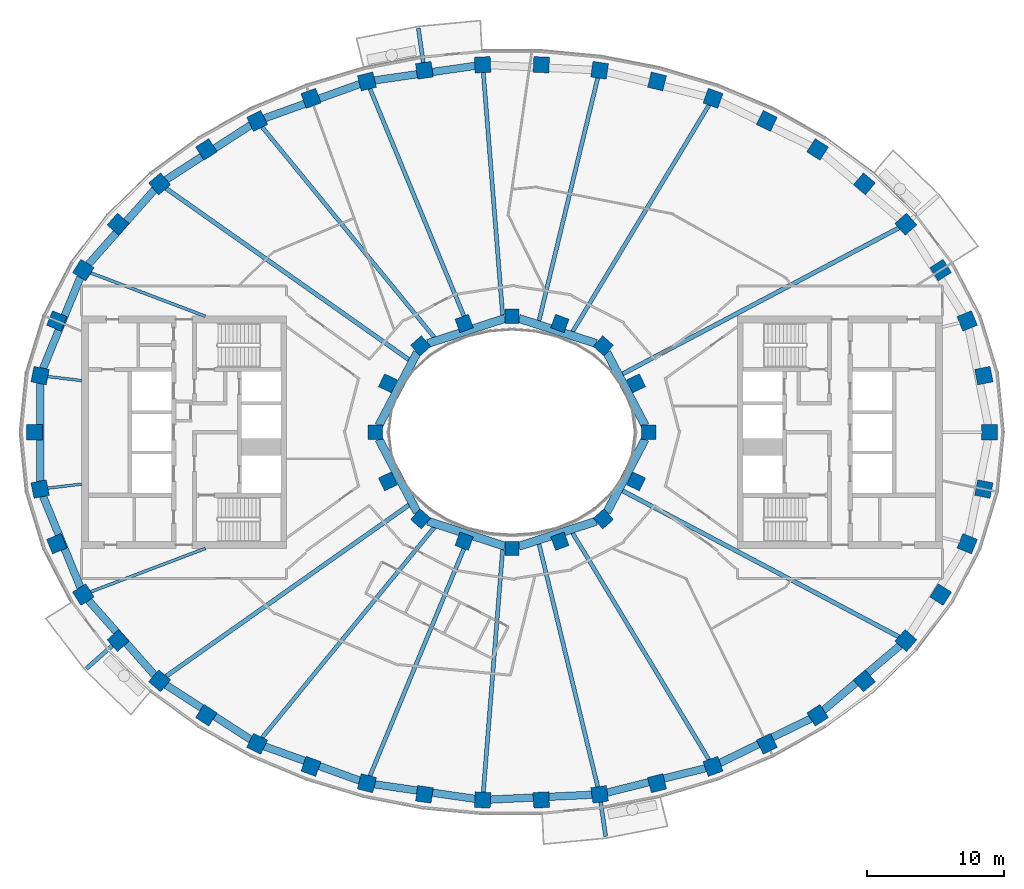
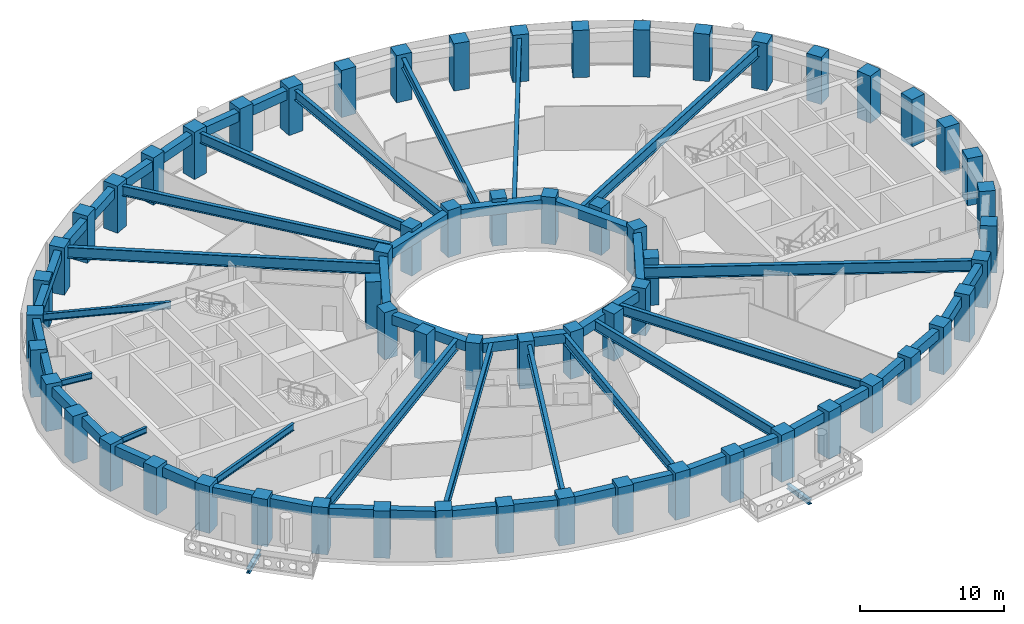
# One storey, part 1 of 16: 62 columns, 44 beams.
"""IFC4 building model written with IfcOpenShell, lengths in metres."""

from ifc_helpers import new_model, si_unit, direction, frame, origin, origin_2d, place, context, subcontext, project, spatial, rectangle, i_section, extrude, material, material_profile, profile_set, type_object, element, save


model = new_model("IFC4")

# Units and contexts
model_context = context("Model", 3, precision=1e-05, world=origin(), true_north=direction((0.0, 1.0)))
body_context = subcontext(model_context, "Body", "Model", "MODEL_VIEW")
ifc_project = project(units=[si_unit("LENGTHUNIT", "METRE"), si_unit("AREAUNIT", "SQUARE_METRE"), si_unit("VOLUMEUNIT", "CUBIC_METRE"), si_unit("PLANEANGLEUNIT", "RADIAN"), si_unit("MASSUNIT", "GRAM", prefix="KILO")], contexts=[model_context])

# Site, building, storey
site_placement = place(None, origin())
site = spatial("IfcSite", under=ifc_project, at=site_placement, CompositionType="ELEMENT")
building_placement = place(site_placement, origin())
building = spatial("IfcBuilding", under=site, at=building_placement, Name="Noorbagh Ring Tower", CompositionType="ELEMENT")
storey_placement = place(building_placement, frame((0.0, 0.0, 174.0)))
storey = spatial("IfcBuildingStorey", under=building, at=storey_placement, Name="L40", CompositionType="ELEMENT", Elevation=174.0)

# Columns
ifc_material_1 = material(Name="Concrete C60/75", Category="concrete")
ifc_material_profile_1 = material_profile(ifc_material_1, rectangle(XDim=1.14990234375, YDim=1.14990234375, at=origin_2d()), Name="RC1150x1150")
ifc_profile_set_1 = profile_set([ifc_material_profile_1], Name="Concrete C60/75")
column_type_1 = type_object("IfcColumnType", Name="STR-COL-RC1150x1150-C60-75", PredefinedType="COLUMN", material=ifc_profile_set_1)
for number, where, z_axis, x_axis, name in (
    (1, (34.944580078125, 0.0, 0.0), (0.0, 0.0, 1.0), (0.0, 1.0, 0.0), "L40/col/R1-01"),
    (2, (34.52685546875, 4.150634765625, 0.0), (0.0, 0.0, 1.0), (-0.19723040178, 0.9803571638, 0.0), "L40/col/R1-02"),
    (3, (33.30517578125, 8.1494140625, 0.0), (0.0, 0.0, 1.0), (-0.378989499959, 0.925400971969, 0.0), "L40/col/R1-03"),
    (4, (31.364990234375, 11.87109375, 0.0), (0.0, 0.0, 1.0), (-0.535190403059, 0.844731455833, 0.0), "L40/col/R1-04"),
    (5, (28.81884765625, 15.23046875, 0.0), (0.0, 0.0, 1.0), (-0.662635642662, 0.748941923699, 0.0), "L40/col/R1-05"),
    (6, (25.78271484375, 18.180419921875, 0.0), (0.0, 0.0, 1.0), (-0.763035199656, 0.646356932419, 0.0), "L40/col/R1-06"),
    (7, (22.362060546875, 20.699951171875, 0.0), (0.0, 0.0, 1.0), (-0.840247639643, 0.542202825586, 0.0), "L40/col/R1-07"),
    (8, (18.646240234375, 22.785400390625, 0.0), (0.0, 0.0, 1.0), (-0.898399080868, 0.439180021741, 0.0), "L40/col/R1-08"),
    (9, (14.70947265625, 24.44091796875, 0.0), (0.0, 0.0, 1.0), (-0.941024726094, 0.338337797003, 0.0), "L40/col/R1-09"),
    (10, (10.61328125, 25.673583984375, 0.0), (0.0, 0.0, 1.0), (-0.970829360981, 0.239771457553, 0.0), "L40/col/R1-10"),
    (11, (6.4091796875, 26.49072265625, 0.0), (0.0, 0.0, 1.0), (-0.989713114048, 0.143066249975, 0.0), "L40/col/R1-11"),
    (12, (2.14306640625, 26.89794921875, 0.0), (0.0, 0.0, 1.0), (-0.998868731212, 0.047552684538, 0.0), "L40/col/R1-12"),
    (13, (-2.14306640625, 26.89794921875, 0.0), (0.0, 0.0, 1.0), (-0.998868731212, -0.047552684538, 0.0), "L40/col/R1-13"),
    (14, (-6.4091796875, 26.49072265625, 0.0), (0.0, 0.0, 1.0), (-0.989713114048, -0.143066249975, 0.0), "L40/col/R1-14"),
    (15, (-10.61328125, 25.673583984375, 0.0), (0.0, 0.0, 1.0), (-0.970829360981, -0.239771457553, 0.0), "L40/col/R1-15"),
    (16, (-14.70947265625, 24.44091796875, 0.0), (0.0, 0.0, 1.0), (-0.941024726094, -0.338337797003, 0.0), "L40/col/R1-16"),
    (17, (-18.646240234375, 22.785400390625, 0.0), (0.0, 0.0, 1.0), (-0.898399080868, -0.439180021741, 0.0), "L40/col/R1-17"),
    (18, (-22.362060546875, 20.699951171875, 0.0), (0.0, 0.0, 1.0), (-0.840247639643, -0.542202825586, 0.0), "L40/col/R1-18"),
    (19, (-25.78271484375, 18.180419921875, 0.0), (0.0, 0.0, 1.0), (-0.763035199656, -0.646356932419, 0.0), "L40/col/R1-19"),
    (20, (-28.81884765625, 15.23046875, 0.0), (0.0, 0.0, 1.0), (-0.662635642662, -0.748941923699, 0.0), "L40/col/R1-20"),
    (21, (-31.364990234375, 11.87109375, 0.0), (0.0, 0.0, 1.0), (-0.535190403059, -0.844731455833, 0.0), "L40/col/R1-21"),
    (22, (-33.30517578125, 8.1494140625, 0.0), (0.0, 0.0, 1.0), (-0.378989499959, -0.925400971969, 0.0), "L40/col/R1-22"),
    (23, (-34.52685546875, 4.150634765625, 0.0), (0.0, 0.0, 1.0), (-0.19723040178, -0.9803571638, 0.0), "L40/col/R1-23"),
    (24, (-34.944580078125, 0.0, 0.0), (0.0, 0.0, 1.0), (0.0, -1.0, 0.0), "L40/col/R1-24"),
    (25, (-34.52685546875, -4.150634765625, 0.0), (0.0, 0.0, 1.0), (0.19723040178, -0.9803571638, 0.0), "L40/col/R1-25"),
    (26, (-33.30517578125, -8.1494140625, 0.0), (0.0, 0.0, 1.0), (0.378989499959, -0.925400971969, 0.0), "L40/col/R1-26"),
    (27, (-31.364990234375, -11.87109375, 0.0), (0.0, 0.0, 1.0), (0.535190403059, -0.844731455833, 0.0), "L40/col/R1-27"),
    (28, (-28.81884765625, -15.23046875, 0.0), (0.0, 0.0, 1.0), (0.662635642662, -0.748941923699, 0.0), "L40/col/R1-28"),
    (29, (-25.78271484375, -18.180419921875, 0.0), (0.0, 0.0, 1.0), (0.763035199656, -0.646356932419, 0.0), "L40/col/R1-29"),
    (30, (-22.362060546875, -20.699951171875, 0.0), (0.0, 0.0, 1.0), (0.840247639643, -0.542202825586, 0.0), "L40/col/R1-30"),
    (31, (-18.646240234375, -22.785400390625, 0.0), (0.0, 0.0, 1.0), (0.898399080868, -0.439180021741, 0.0), "L40/col/R1-31"),
    (32, (-14.70947265625, -24.44091796875, 0.0), (0.0, 0.0, 1.0), (0.941024726094, -0.338337797003, 0.0), "L40/col/R1-32"),
    (33, (-10.61328125, -25.673583984375, 0.0), (0.0, 0.0, 1.0), (0.970829360981, -0.239771457553, 0.0), "L40/col/R1-33"),
    (34, (-6.4091796875, -26.49072265625, 0.0), (0.0, 0.0, 1.0), (0.989713114048, -0.143066249975, 0.0), "L40/col/R1-34"),
    (35, (-2.14306640625, -26.89794921875, 0.0), (0.0, 0.0, 1.0), (0.998868731212, -0.047552684538, 0.0), "L40/col/R1-35"),
    (36, (2.14306640625, -26.89794921875, 0.0), (0.0, 0.0, 1.0), (0.998868731212, 0.047552684538, 0.0), "L40/col/R1-36"),
    (37, (6.4091796875, -26.49072265625, 0.0), (0.0, 0.0, 1.0), (0.989713114048, 0.143066249975, 0.0), "L40/col/R1-37"),
    (38, (10.61328125, -25.673583984375, 0.0), (0.0, 0.0, 1.0), (0.970829360981, 0.239771457553, 0.0), "L40/col/R1-38"),
    (39, (14.70947265625, -24.44091796875, 0.0), (0.0, 0.0, 1.0), (0.941024726094, 0.338337797003, 0.0), "L40/col/R1-39"),
    (40, (18.646240234375, -22.785400390625, 0.0), (0.0, 0.0, 1.0), (0.898399080868, 0.439180021741, 0.0), "L40/col/R1-40"),
    (41, (22.362060546875, -20.699951171875, 0.0), (0.0, 0.0, 1.0), (0.840247639643, 0.542202825586, 0.0), "L40/col/R1-41"),
    (42, (25.78271484375, -18.180419921875, 0.0), (0.0, 0.0, 1.0), (0.763035199656, 0.646356932419, 0.0), "L40/col/R1-42"),
    (43, (28.81884765625, -15.23046875, 0.0), (0.0, 0.0, 1.0), (0.662635642662, 0.748941923699, 0.0), "L40/col/R1-43"),
    (44, (31.364990234375, -11.87109375, 0.0), (0.0, 0.0, 1.0), (0.535190403059, 0.844731455833, 0.0), "L40/col/R1-44"),
    (45, (33.30517578125, -8.1494140625, 0.0), (0.0, 0.0, 1.0), (0.378989499959, 0.925400971969, 0.0), "L40/col/R1-45"),
    (46, (34.52685546875, -4.150634765625, 0.0), (0.0, 0.0, 1.0), (0.19723040178, 0.9803571638, 0.0), "L40/col/R1-46"),
):
    element("IfcColumn", number, at=place(storey_placement, frame(where, z_axis=z_axis, x_axis=x_axis)), inside=storey, type_object=column_type_1, Name=name, PredefinedType="COLUMN", context=body_context, shape_type="SweptSolid", body=[
        extrude(rectangle(XDim=1.14990234375, YDim=1.14990234375, at=origin_2d()), origin(), (0.0, 0.0, 1.0), 4.0),
    ])
ifc_material_2 = material(Name="Concrete C60/75", Category="concrete")
ifc_material_profile_2 = material_profile(ifc_material_2, rectangle(XDim=1.050048828125, YDim=1.050048828125, at=origin_2d()), Name="RC1050x1050")
ifc_profile_set_2 = profile_set([ifc_material_profile_2], Name="Concrete C60/75")
column_type_2 = type_object("IfcColumnType", Name="STR-ICOL-RC1050x1050-C60-75", PredefinedType="COLUMN", material=ifc_profile_set_2)
for number, where, z_axis, x_axis, name in (
    (47, (10.00830078125, 0.0, 0.0), (0.0, 0.0, 1.0), (0.0, 1.0, 0.0), "L40/col/IR2-W01"),
    (48, (9.07568359375, 3.58837890625, 0.0), (0.0, 0.0, 1.0), (-0.428666979171, 0.903462573087, 0.0), "L40/col/IR2-W03"),
    (49, (6.68212890625, 6.333740234375, 0.0), (0.0, 0.0, 1.0), (-0.75102249095, 0.660276622399, 0.0), "L40/col/IR2-W05"),
    (50, (3.5009765625, 7.967041015625, 0.0), (0.0, 0.0, 1.0), (-0.939019578916, 0.343863679984, 0.0), "L40/col/IR2-W07"),
    (51, (0.0, 8.5029296875, 0.0), (0.0, 0.0, 1.0), (-1.0, 0.0, 0.0), "L40/col/IR2-W09"),
    (52, (-3.5009765625, 7.967041015625, 0.0), (0.0, 0.0, 1.0), (-0.939019578916, -0.343863679984, 0.0), "L40/col/IR2-W11"),
    (53, (-6.68212890625, 6.333740234375, 0.0), (0.0, 0.0, 1.0), (-0.75102249095, -0.660276622399, 0.0), "L40/col/IR2-W13"),
    (54, (-9.07568359375, 3.58837890625, 0.0), (0.0, 0.0, 1.0), (-0.428666979171, -0.903462573087, 0.0), "L40/col/IR2-W15"),
    (55, (-10.00830078125, 0.0, 0.0), (0.0, 0.0, 1.0), (0.0, -1.0, 0.0), "L40/col/IR2-W17"),
    (56, (-9.07568359375, -3.58837890625, 0.0), (0.0, 0.0, 1.0), (0.428666979171, -0.903462573087, 0.0), "L40/col/IR2-W19"),
    (57, (-6.68212890625, -6.333740234375, 0.0), (0.0, 0.0, 1.0), (0.75102249095, -0.660276622399, 0.0), "L40/col/IR2-W21"),
    (58, (-3.5009765625, -7.967041015625, 0.0), (0.0, 0.0, 1.0), (0.939019578916, -0.343863679984, 0.0), "L40/col/IR2-W23"),
    (59, (0.0, -8.5029296875, 0.0), (0.0, 0.0, 1.0), (1.0, 0.0, 0.0), "L40/col/IR2-W25"),
    (60, (3.5009765625, -7.967041015625, 0.0), (0.0, 0.0, 1.0), (0.939019578916, 0.343863679984, 0.0), "L40/col/IR2-W27"),
    (61, (6.68212890625, -6.333740234375, 0.0), (0.0, 0.0, 1.0), (0.75102249095, 0.660276622399, 0.0), "L40/col/IR2-W29"),
    (62, (9.07568359375, -3.58837890625, 0.0), (0.0, 0.0, 1.0), (0.428666979171, 0.903462573087, 0.0), "L40/col/IR2-W31"),
):
    element("IfcColumn", number, at=place(storey_placement, frame(where, z_axis=z_axis, x_axis=x_axis)), inside=storey, type_object=column_type_2, Name=name, PredefinedType="COLUMN", context=body_context, shape_type="SweptSolid", body=[
        extrude(rectangle(XDim=1.050048828125, YDim=1.050048828125, at=origin_2d()), origin(), (0.0, 0.0, 1.0), 4.0),
    ])

# Beams
ifc_material_3 = material(Name="Steel S355", Category="steel")
ifc_material_profile_3 = material_profile(ifc_material_3, i_section(OverallWidth=0.300048828125, OverallDepth=0.39990234375, WebThickness=0.013427734375, FlangeThickness=0.02392578125, FilletRadius=0.027099609375, at=origin_2d()), Name="HEB400")
ifc_profile_set_3 = profile_set([ifc_material_profile_3], Name="Steel S355")
beam_type_1 = type_object("IfcBeamType", Name="STR-BALCONY-BRACKET-HEB400", PredefinedType="BEAM", material=ifc_profile_set_3)
beam_1_placement = place(storey_placement, frame((-6.48876953125, 27.0400390625, -0.5), z_axis=(-0.143003505054, 0.989722182, 0.0), x_axis=(-0.989722182, -0.143003505054, 0.0)))
element("IfcBeam", 63, at=beam_1_placement, inside=storey, type_object=beam_type_1, Name="Balcony bracket beam BN04", PredefinedType="BEAM", context=body_context, shape_type="SweptSolid", body=[
    extrude(i_section(OverallWidth=0.300048828125, OverallDepth=0.39990234375, WebThickness=0.013427734375, FlangeThickness=0.02392578125, FilletRadius=0.027099609375, at=origin_2d()), origin(), (0.0, 0.0, 1.0), 2.548828125),
])
beam_2_placement = place(storey_placement, frame((-29.234619140625, -15.59814453125, -0.5), z_axis=(-0.749031222735, -0.662534698992, 0.0), x_axis=(0.662534698992, -0.749031222735, 0.0)))
element("IfcBeam", 64, at=beam_2_placement, inside=storey, type_object=beam_type_1, Name="Balcony bracket beam BS01", PredefinedType="BEAM", context=body_context, shape_type="SweptSolid", body=[
    extrude(i_section(OverallWidth=0.300048828125, OverallDepth=0.39990234375, WebThickness=0.013427734375, FlangeThickness=0.02392578125, FilletRadius=0.027099609375, at=origin_2d()), origin(), (0.0, 0.0, 1.0), 2.554443359375),
])
beam_3_placement = place(storey_placement, frame((6.48876953125, -27.0400390625, -0.5), z_axis=(0.143003505054, -0.989722182, 0.0), x_axis=(0.989722182, 0.143003505054, 0.0)))
element("IfcBeam", 65, at=beam_3_placement, inside=storey, type_object=beam_type_1, Name="Balcony bracket beam BS04", PredefinedType="BEAM", context=body_context, shape_type="SweptSolid", body=[
    extrude(i_section(OverallWidth=0.300048828125, OverallDepth=0.39990234375, WebThickness=0.013427734375, FlangeThickness=0.02392578125, FilletRadius=0.027099609375, at=origin_2d()), origin(), (0.0, 0.0, 1.0), 2.548828125),
])
ifc_material_4 = material(Name="Steel S355", Category="steel")
ifc_material_profile_4 = material_profile(ifc_material_4, i_section(OverallWidth=0.199951171875, OverallDepth=0.5, WebThickness=0.01025390625, FlangeThickness=0.01611328125, FilletRadius=0.02099609375, at=origin_2d()), Name="IPE500")
ifc_profile_set_4 = profile_set([ifc_material_profile_4], Name="Steel S355")
beam_type_2 = type_object("IfcBeamType", Name="STR-RAD-IPE500", PredefinedType="BEAM", material=ifc_profile_set_4)
for number, where, z_axis, x_axis, name in (
    (66, (-33.973876953125, 4.084228515625, 3.449951171875), (0.992850135932, -0.119367531518, 0.0), (0.119367531518, 0.992850135932, 0.0), "L40/bm/RD23"),
    (67, (-33.973876953125, -4.084228515625, 3.449951171875), (0.992850135932, 0.119367531518, 0.0), (-0.119367531518, 0.992850135932, 0.0), "L40/bm/RD25"),
):
    element("IfcBeam", number, at=place(storey_placement, frame(where, z_axis=z_axis, x_axis=x_axis)), inside=storey, type_object=beam_type_2, Name=name, PredefinedType="BEAM", context=body_context, shape_type="SweptSolid", body=[
        extrude(i_section(OverallWidth=0.199951171875, OverallDepth=0.5, WebThickness=0.01025390625, FlangeThickness=0.01611328125, FilletRadius=0.02099609375, at=origin_2d()), origin(), (0.0, 0.0, 1.0), 2.51171875),
    ])
ifc_material_5 = material(Name="Steel S355", Category="steel")
ifc_material_profile_5 = material_profile(ifc_material_5, i_section(OverallWidth=0.219970703125, OverallDepth=0.60009765625, WebThickness=0.011962890625, FlangeThickness=0.01904296875, FilletRadius=0.02392578125, at=origin_2d()), Name="IPE600")
ifc_profile_set_5 = profile_set([ifc_material_profile_5], Name="Steel S355")
beam_type_3 = type_object("IfcBeamType", Name="STR-RAD-IPE600", PredefinedType="BEAM", material=ifc_profile_set_5)
for number, where, z_axis, x_axis, name in (
    (68, (-30.834716796875, 11.670166015625, 3.39990234375), (0.935258517004, -0.353965402789, 0.0), (0.353965402789, 0.935258517004, 0.0), "L40/bm/RD21"),
    (69, (-30.834716796875, -11.670166015625, 3.39990234375), (0.935258517004, 0.353965402789, 0.0), (-0.353965402789, 0.935258517004, 0.0), "L40/bm/RD27"),
):
    element("IfcBeam", number, at=place(storey_placement, frame(where, z_axis=z_axis, x_axis=x_axis)), inside=storey, type_object=beam_type_3, Name=name, PredefinedType="BEAM", context=body_context, shape_type="SweptSolid", body=[
        extrude(i_section(OverallWidth=0.219970703125, OverallDepth=0.60009765625, WebThickness=0.011962890625, FlangeThickness=0.01904296875, FilletRadius=0.02392578125, at=origin_2d()), origin(), (0.0, 0.0, 1.0), 8.97607421875),
    ])
ifc_material_6 = material(Name="Steel S355", Category="steel")
ifc_material_profile_6 = material_profile(ifc_material_6, i_section(OverallWidth=0.300048828125, OverallDepth=0.85009765625, WebThickness=0.013916015625, FlangeThickness=0.028076171875, at=origin_2d()), Name="PG850x300x14x28")
ifc_profile_set_6 = profile_set([ifc_material_profile_6], Name="Steel S355")
beam_type_4 = type_object("IfcBeamType", Name="STR-RAD-PG850x300x14x28", PredefinedType="BEAM", material=ifc_profile_set_6)
beam_4_placement = place(storey_placement, frame((14.41748046875, 23.95556640625, 3.27490234375), z_axis=(-0.515657480155, -0.856794819756, 0.0), x_axis=(0.856794819756, -0.515657480155, 0.0)))
element("IfcBeam", 70, at=beam_4_placement, inside=storey, type_object=beam_type_4, Name="L40/bm/RD09", PredefinedType="BEAM", context=body_context, shape_type="SweptSolid", body=[
    extrude(i_section(OverallWidth=0.300048828125, OverallDepth=0.85009765625, WebThickness=0.013916015625, FlangeThickness=0.028076171875, at=origin_2d()), origin(), (0.0, 0.0, 1.0), 19.36962890625),
])
beam_5_placement = place(storey_placement, frame((6.278076171875, 25.948974609375, 3.27490234375), z_axis=(-0.235157209599, -0.971957348228, 0.0), x_axis=(0.971957348228, -0.235157209599, 0.0)))
element("IfcBeam", 71, at=beam_5_placement, inside=storey, type_object=beam_type_4, Name="L40/bm/RD11", PredefinedType="BEAM", context=body_context, shape_type="SweptSolid", body=[
    extrude(i_section(OverallWidth=0.300048828125, OverallDepth=0.85009765625, WebThickness=0.013916015625, FlangeThickness=0.028076171875, at=origin_2d()), origin(), (0.0, 0.0, 1.0), 18.3056640625),
])
beam_6_placement = place(storey_placement, frame((-2.09912109375, 26.344482421875, 3.27490234375), z_axis=(0.079426755243, -0.996840704702, 0.0), x_axis=(0.996840704702, 0.079426755243, 0.0)))
element("IfcBeam", 72, at=beam_6_placement, inside=storey, type_object=beam_type_4, Name="L40/bm/RD13", PredefinedType="BEAM", context=body_context, shape_type="SweptSolid", body=[
    extrude(i_section(OverallWidth=0.300048828125, OverallDepth=0.85009765625, WebThickness=0.013916015625, FlangeThickness=0.028076171875, at=origin_2d()), origin(), (0.0, 0.0, 1.0), 17.824951171875),
])
beam_7_placement = place(storey_placement, frame((-10.398681640625, 25.15478515625, 3.27490234375), z_axis=(0.382029145197, -0.924150275778, 0.0), x_axis=(0.924150275778, 0.382029145197, 0.0)))
element("IfcBeam", 73, at=beam_7_placement, inside=storey, type_object=beam_type_4, Name="L40/bm/RD15", PredefinedType="BEAM", context=body_context, shape_type="SweptSolid", body=[
    extrude(i_section(OverallWidth=0.300048828125, OverallDepth=0.85009765625, WebThickness=0.013916015625, FlangeThickness=0.028076171875, at=origin_2d()), origin(), (0.0, 0.0, 1.0), 18.826171875),
])
for number, where, z_axis, x_axis, name in (
    (74, (-18.284912109375, 22.34375, 3.27490234375), (0.633309312675, -0.773898775344, 0.0), (0.773898775344, 0.633309312675, 0.0), "L40/bm/RD17"),
    (75, (-18.284912109375, -22.34375, 3.27490234375), (0.633309312675, 0.773898775344, 0.0), (-0.773898775344, 0.633309312675, 0.0), "L40/bm/RD31"),
):
    element("IfcBeam", number, at=place(storey_placement, frame(where, z_axis=z_axis, x_axis=x_axis)), inside=storey, type_object=beam_type_4, Name=name, PredefinedType="BEAM", context=body_context, shape_type="SweptSolid", body=[
        extrude(i_section(OverallWidth=0.300048828125, OverallDepth=0.85009765625, WebThickness=0.013916015625, FlangeThickness=0.028076171875, at=origin_2d()), origin(), (0.0, 0.0, 1.0), 19.888671875),
    ])
beam_8_placement = place(storey_placement, frame((-10.398681640625, -25.15478515625, 3.27490234375), z_axis=(0.382029145197, 0.924150275778, 0.0), x_axis=(-0.924150275778, 0.382029145197, 0.0)))
element("IfcBeam", 76, at=beam_8_placement, inside=storey, type_object=beam_type_4, Name="L40/bm/RD33", PredefinedType="BEAM", context=body_context, shape_type="SweptSolid", body=[
    extrude(i_section(OverallWidth=0.300048828125, OverallDepth=0.85009765625, WebThickness=0.013916015625, FlangeThickness=0.028076171875, at=origin_2d()), origin(), (0.0, 0.0, 1.0), 18.826171875),
])
beam_9_placement = place(storey_placement, frame((-2.09912109375, -26.344482421875, 3.27490234375), z_axis=(0.079426755243, 0.996840704702, 0.0), x_axis=(-0.996840704702, 0.079426755243, 0.0)))
element("IfcBeam", 77, at=beam_9_placement, inside=storey, type_object=beam_type_4, Name="L40/bm/RD35", PredefinedType="BEAM", context=body_context, shape_type="SweptSolid", body=[
    extrude(i_section(OverallWidth=0.300048828125, OverallDepth=0.85009765625, WebThickness=0.013916015625, FlangeThickness=0.028076171875, at=origin_2d()), origin(), (0.0, 0.0, 1.0), 17.824951171875),
])
beam_10_placement = place(storey_placement, frame((6.278076171875, -25.948974609375, 3.27490234375), z_axis=(-0.235157209599, 0.971957348228, 0.0), x_axis=(-0.971957348228, -0.235157209599, 0.0)))
element("IfcBeam", 78, at=beam_10_placement, inside=storey, type_object=beam_type_4, Name="L40/bm/RD37", PredefinedType="BEAM", context=body_context, shape_type="SweptSolid", body=[
    extrude(i_section(OverallWidth=0.300048828125, OverallDepth=0.85009765625, WebThickness=0.013916015625, FlangeThickness=0.028076171875, at=origin_2d()), origin(), (0.0, 0.0, 1.0), 18.3056640625),
])
beam_11_placement = place(storey_placement, frame((14.41748046875, -23.95556640625, 3.27490234375), z_axis=(-0.515657480155, 0.856794819756, 0.0), x_axis=(-0.856794819756, -0.515657480155, 0.0)))
element("IfcBeam", 79, at=beam_11_placement, inside=storey, type_object=beam_type_4, Name="L40/bm/RD39", PredefinedType="BEAM", context=body_context, shape_type="SweptSolid", body=[
    extrude(i_section(OverallWidth=0.300048828125, OverallDepth=0.85009765625, WebThickness=0.013916015625, FlangeThickness=0.028076171875, at=origin_2d()), origin(), (0.0, 0.0, 1.0), 19.36962890625),
])
ifc_material_7 = material(Name="Steel S355", Category="steel")
ifc_material_profile_7 = material_profile(ifc_material_7, i_section(OverallWidth=0.320068359375, OverallDepth=0.949951171875, WebThickness=0.01611328125, FlangeThickness=0.030029296875, at=origin_2d()), Name="PG950x320x16x30")
ifc_profile_set_7 = profile_set([ifc_material_profile_7], Name="Steel S355")
beam_type_5 = type_object("IfcBeamType", Name="STR-RAD-PG950x320x16x30", PredefinedType="BEAM", material=ifc_profile_set_7)
beam_12_placement = place(storey_placement, frame((28.3134765625, 14.96337890625, 3.22509765625), z_axis=(-0.88412220417, -0.467255741638, 0.0), x_axis=(0.467255741638, -0.88412220417, 0.0)))
element("IfcBeam", 80, at=beam_12_placement, inside=storey, type_object=beam_type_5, Name="L40/bm/RD05", PredefinedType="BEAM", context=body_context, shape_type="SweptSolid", body=[
    extrude(i_section(OverallWidth=0.320068359375, OverallDepth=0.949951171875, WebThickness=0.01611328125, FlangeThickness=0.030029296875, at=origin_2d()), origin(), (0.0, 0.0, 1.0), 22.88330078125),
])
for number, where, z_axis, x_axis, name in (
    (81, (-25.313720703125, 17.849609375, 3.22509765625), (0.81725576223, -0.576275124487, 0.0), (0.576275124487, 0.81725576223, 0.0), "L40/bm/RD19"),
    (82, (-25.313720703125, -17.849609375, 3.22509765625), (0.81725576223, 0.576275124487, 0.0), (-0.576275124487, 0.81725576223, 0.0), "L40/bm/RD29"),
):
    element("IfcBeam", number, at=place(storey_placement, frame(where, z_axis=z_axis, x_axis=x_axis)), inside=storey, type_object=beam_type_5, Name=name, PredefinedType="BEAM", context=body_context, shape_type="SweptSolid", body=[
        extrude(i_section(OverallWidth=0.320068359375, OverallDepth=0.949951171875, WebThickness=0.01611328125, FlangeThickness=0.030029296875, at=origin_2d()), origin(), (0.0, 0.0, 1.0), 21.754638671875),
    ])
beam_13_placement = place(storey_placement, frame((28.3134765625, -14.96337890625, 3.22509765625), z_axis=(-0.88412220417, 0.467255741638, 0.0), x_axis=(-0.467255741638, -0.88412220417, 0.0)))
element("IfcBeam", 83, at=beam_13_placement, inside=storey, type_object=beam_type_5, Name="L40/bm/RD43", PredefinedType="BEAM", context=body_context, shape_type="SweptSolid", body=[
    extrude(i_section(OverallWidth=0.320068359375, OverallDepth=0.949951171875, WebThickness=0.01611328125, FlangeThickness=0.030029296875, at=origin_2d()), origin(), (0.0, 0.0, 1.0), 22.88330078125),
])
ifc_material_8 = material(Name="Concrete C40/50", Category="concrete")
ifc_material_profile_8 = material_profile(ifc_material_8, rectangle(XDim=0.60009765625, YDim=0.800048828125, at=origin_2d()), Name="RC600x800")
ifc_profile_set_8 = profile_set([ifc_material_profile_8], Name="Concrete C40/50")
beam_type_6 = type_object("IfcBeamType", Name="STR-RB-RC600x800-C40-50", PredefinedType="BEAM", material=ifc_profile_set_8)
beam_14_placement = place(storey_placement, frame((9.741943359375, 0.50732421875, 3.300048828125), z_axis=(-0.464929768283, 0.885347564838, 0.0), x_axis=(-0.885347564838, -0.464929768283, 0.0)))
element("IfcBeam", 84, at=beam_14_placement, inside=storey, type_object=beam_type_6, Name="L40/bm/RG01", PredefinedType="BEAM", context=body_context, shape_type="SweptSolid", body=[
    extrude(rectangle(XDim=0.60009765625, YDim=0.800048828125, at=origin_2d()), origin(), (0.0, 0.0, 1.0), 6.038818359375),
])
for number, where, z_axis, x_axis, name in (
    (85, (6.157470703125, 6.504150390625, 3.300048828125), (-0.951147838406, 0.308735792379, 0.0), (-0.308735792379, -0.951147838406, 0.0), "L40/bm/RG03"),
    (86, (-0.505859375, 8.338623046875, 3.300048828125), (-0.951147838406, -0.308735792379, 0.0), (0.308735792379, -0.951147838406, 0.0), "L40/bm/RG05"),
):
    element("IfcBeam", number, at=place(storey_placement, frame(where, z_axis=z_axis, x_axis=x_axis)), inside=storey, type_object=beam_type_6, Name=name, PredefinedType="BEAM", context=body_context, shape_type="SweptSolid", body=[
        extrude(rectangle(XDim=0.60009765625, YDim=0.800048828125, at=origin_2d()), origin(), (0.0, 0.0, 1.0), 5.94189453125),
    ])
for number, where, z_axis, x_axis, name in (
    (87, (-6.934326171875, 5.853759765625, 3.300048828125), (-0.464929768283, -0.885347564838, 0.0), (0.885347564838, -0.464929768283, 0.0), "L40/bm/RG07"),
    (88, (-9.741943359375, -0.50732421875, 3.300048828125), (0.464929768283, -0.885347564838, 0.0), (0.885347564838, 0.464929768283, 0.0), "L40/bm/RG09"),
):
    element("IfcBeam", number, at=place(storey_placement, frame(where, z_axis=z_axis, x_axis=x_axis)), inside=storey, type_object=beam_type_6, Name=name, PredefinedType="BEAM", context=body_context, shape_type="SweptSolid", body=[
        extrude(rectangle(XDim=0.60009765625, YDim=0.800048828125, at=origin_2d()), origin(), (0.0, 0.0, 1.0), 6.038818359375),
    ])
for number, where, z_axis, x_axis, name in (
    (89, (-6.157470703125, -6.504150390625, 3.300048828125), (0.951147838406, -0.308735792379, 0.0), (0.308735792379, 0.951147838406, 0.0), "L40/bm/RG11"),
    (90, (0.505859375, -8.338623046875, 3.300048828125), (0.951147838406, 0.308735792379, 0.0), (-0.308735792379, 0.951147838406, 0.0), "L40/bm/RG13"),
):
    element("IfcBeam", number, at=place(storey_placement, frame(where, z_axis=z_axis, x_axis=x_axis)), inside=storey, type_object=beam_type_6, Name=name, PredefinedType="BEAM", context=body_context, shape_type="SweptSolid", body=[
        extrude(rectangle(XDim=0.60009765625, YDim=0.800048828125, at=origin_2d()), origin(), (0.0, 0.0, 1.0), 5.94189453125),
    ])
beam_15_placement = place(storey_placement, frame((6.934326171875, -5.853759765625, 3.300048828125), z_axis=(0.464929768283, 0.885347564838, 0.0), x_axis=(-0.885347564838, 0.464929768283, 0.0)))
element("IfcBeam", 91, at=beam_15_placement, inside=storey, type_object=beam_type_6, Name="L40/bm/RG15", PredefinedType="BEAM", context=body_context, shape_type="SweptSolid", body=[
    extrude(rectangle(XDim=0.60009765625, YDim=0.800048828125, at=origin_2d()), origin(), (0.0, 0.0, 1.0), 6.038818359375),
])
ifc_material_9 = material(Name="Concrete C40/50", Category="concrete")
ifc_material_profile_9 = material_profile(ifc_material_9, rectangle(XDim=0.550048828125, YDim=0.800048828125, at=origin_2d()), Name="RC550x800")
ifc_profile_set_9 = profile_set([ifc_material_profile_9], Name="Concrete C40/50")
beam_type_7 = type_object("IfcBeamType", Name="STR-SB-RC550x800-C40-50", PredefinedType="BEAM", material=ifc_profile_set_9)
beam_16_placement = place(storey_placement, frame((-2.695068359375, 26.818115234375, 3.300048828125), z_axis=(-0.989714582635, -0.143056090115, 0.0), x_axis=(0.143056090115, -0.989714582635, 0.0)))
element("IfcBeam", 92, at=beam_16_placement, inside=storey, type_object=beam_type_7, Name="L40/bm/SP13", PredefinedType="BEAM", context=body_context, shape_type="SweptSolid", body=[
    extrude(rectangle(XDim=0.550048828125, YDim=0.800048828125, at=origin_2d()), origin(), (0.0, 0.0, 1.0), 7.442626953125),
])
beam_17_placement = place(storey_placement, frame((-11.138427734375, 25.48486328125, 3.300048828125), z_axis=(-0.941023654447, -0.338340777576, 0.0), x_axis=(0.338340777576, -0.941023654447, 0.0)))
element("IfcBeam", 93, at=beam_17_placement, inside=storey, type_object=beam_type_7, Name="L40/bm/SP15", PredefinedType="BEAM", context=body_context, shape_type="SweptSolid", body=[
    extrude(rectangle(XDim=0.550048828125, YDim=0.800048828125, at=origin_2d()), origin(), (0.0, 0.0, 1.0), 7.419921875),
])
beam_18_placement = place(storey_placement, frame((-19.115966796875, 22.482177734375, 3.300048828125), z_axis=(-0.840254319368, -0.542192473928, 0.0), x_axis=(0.542192473928, -0.840254319368, 0.0)))
element("IfcBeam", 94, at=beam_18_placement, inside=storey, type_object=beam_type_7, Name="L40/bm/SP17", PredefinedType="BEAM", context=body_context, shape_type="SweptSolid", body=[
    extrude(rectangle(XDim=0.550048828125, YDim=0.800048828125, at=origin_2d()), origin(), (0.0, 0.0, 1.0), 7.374267578125),
])
beam_19_placement = place(storey_placement, frame((-26.154541015625, 17.76025390625, 3.300048828125), z_axis=(-0.662635208679, -0.74894230767, 0.0), x_axis=(0.74894230767, -0.662635208679, 0.0)))
element("IfcBeam", 95, at=beam_19_placement, inside=storey, type_object=beam_type_7, Name="L40/bm/SP19", PredefinedType="BEAM", context=body_context, shape_type="SweptSolid", body=[
    extrude(rectangle(XDim=0.550048828125, YDim=0.800048828125, at=origin_2d()), origin(), (0.0, 0.0, 1.0), 7.301025390625),
])
beam_20_placement = place(storey_placement, frame((-31.578857421875, 11.34912109375, 3.300048828125), z_axis=(-0.378982069308, -0.925404015089, 0.0), x_axis=(0.925404015089, -0.378982069308, 0.0)))
element("IfcBeam", 96, at=beam_20_placement, inside=storey, type_object=beam_type_7, Name="L40/bm/SP21", PredefinedType="BEAM", context=body_context, shape_type="SweptSolid", body=[
    extrude(rectangle(XDim=0.550048828125, YDim=0.800048828125, at=origin_2d()), origin(), (0.0, 0.0, 1.0), 7.213134765625),
])
beam_21_placement = place(storey_placement, frame((-34.52685546875, 3.584228515625, 3.300048828125), z_axis=(0.0, -1.0, 0.0), x_axis=(1.0, 0.0, 0.0)))
element("IfcBeam", 97, at=beam_21_placement, inside=storey, type_object=beam_type_7, Name="L40/bm/SP23", PredefinedType="BEAM", context=body_context, shape_type="SweptSolid", body=[
    extrude(rectangle(XDim=0.550048828125, YDim=0.800048828125, at=origin_2d()), origin(), (0.0, 0.0, 1.0), 7.16845703125),
])
beam_22_placement = place(storey_placement, frame((-34.3125, -4.674072265625, 3.300048828125), z_axis=(0.378982069308, -0.925404015089, 0.0), x_axis=(0.925404015089, 0.378982069308, 0.0)))
element("IfcBeam", 98, at=beam_22_placement, inside=storey, type_object=beam_type_7, Name="L40/bm/SP25", PredefinedType="BEAM", context=body_context, shape_type="SweptSolid", body=[
    extrude(rectangle(XDim=0.550048828125, YDim=0.800048828125, at=origin_2d()), origin(), (0.0, 0.0, 1.0), 7.213134765625),
])
beam_23_placement = place(storey_placement, frame((-30.992431640625, -12.292236328125, 3.300048828125), z_axis=(0.662635208679, -0.74894230767, 0.0), x_axis=(0.74894230767, 0.662635208679, 0.0)))
element("IfcBeam", 99, at=beam_23_placement, inside=storey, type_object=beam_type_7, Name="L40/bm/SP27", PredefinedType="BEAM", context=body_context, shape_type="SweptSolid", body=[
    extrude(rectangle(XDim=0.550048828125, YDim=0.800048828125, at=origin_2d()), origin(), (0.0, 0.0, 1.0), 7.301025390625),
])
beam_24_placement = place(storey_placement, frame((-25.312255859375, -18.48388671875, 3.300048828125), z_axis=(0.840254319368, -0.542192473928, 0.0), x_axis=(0.542192473928, 0.840254319368, 0.0)))
element("IfcBeam", 100, at=beam_24_placement, inside=storey, type_object=beam_type_7, Name="L40/bm/SP29", PredefinedType="BEAM", context=body_context, shape_type="SweptSolid", body=[
    extrude(rectangle(XDim=0.550048828125, YDim=0.800048828125, at=origin_2d()), origin(), (0.0, 0.0, 1.0), 7.374267578125),
])
beam_25_placement = place(storey_placement, frame((-18.120849609375, -22.974365234375, 3.300048828125), z_axis=(0.941023654447, -0.338340777576, 0.0), x_axis=(0.338340777576, 0.941023654447, 0.0)))
element("IfcBeam", 101, at=beam_25_placement, inside=storey, type_object=beam_type_7, Name="L40/bm/SP31", PredefinedType="BEAM", context=body_context, shape_type="SweptSolid", body=[
    extrude(rectangle(XDim=0.550048828125, YDim=0.800048828125, at=origin_2d()), origin(), (0.0, 0.0, 1.0), 7.419921875),
])
beam_26_placement = place(storey_placement, frame((-10.06103515625, -25.75341796875, 3.300048828125), z_axis=(0.989714582635, -0.143056090115, 0.0), x_axis=(0.143056090115, 0.989714582635, 0.0)))
element("IfcBeam", 102, at=beam_26_placement, inside=storey, type_object=beam_type_7, Name="L40/bm/SP33", PredefinedType="BEAM", context=body_context, shape_type="SweptSolid", body=[
    extrude(rectangle(XDim=0.550048828125, YDim=0.800048828125, at=origin_2d()), origin(), (0.0, 0.0, 1.0), 7.442626953125),
])
beam_27_placement = place(storey_placement, frame((-1.586181640625, -26.87158203125, 3.300048828125), z_axis=(0.998867915197, 0.047569822271, 0.0), x_axis=(-0.047569822271, 0.998867915197, 0.0)))
element("IfcBeam", 103, at=beam_27_placement, inside=storey, type_object=beam_type_7, Name="L40/bm/SP35", PredefinedType="BEAM", context=body_context, shape_type="SweptSolid", body=[
    extrude(rectangle(XDim=0.550048828125, YDim=0.800048828125, at=origin_2d()), origin(), (0.0, 0.0, 1.0), 7.447021484375),
])
beam_28_placement = place(storey_placement, frame((6.95068359375, -26.357177734375, 3.300048828125), z_axis=(0.970828249823, 0.239775956563, 0.0), x_axis=(-0.239775956563, 0.970828249823, 0.0)))
element("IfcBeam", 104, at=beam_28_placement, inside=storey, type_object=beam_type_7, Name="L40/bm/SP37", PredefinedType="BEAM", context=body_context, shape_type="SweptSolid", body=[
    extrude(rectangle(XDim=0.550048828125, YDim=0.800048828125, at=origin_2d()), origin(), (0.0, 0.0, 1.0), 7.433837890625),
])
beam_29_placement = place(storey_placement, frame((15.211181640625, -24.195556640625, 3.300048828125), z_axis=(0.898409236546, 0.439159246389, 0.0), x_axis=(-0.439159246389, 0.898409236546, 0.0)))
element("IfcBeam", 105, at=beam_29_placement, inside=storey, type_object=beam_type_7, Name="L40/bm/SP39", PredefinedType="BEAM", context=body_context, shape_type="SweptSolid", body=[
    extrude(rectangle(XDim=0.550048828125, YDim=0.800048828125, at=origin_2d()), origin(), (0.0, 0.0, 1.0), 7.400390625),
])
beam_30_placement = place(storey_placement, frame((22.789306640625, -20.338134765625, 3.300048828125), z_axis=(0.76302791951, 0.646365526656, 0.0), x_axis=(-0.646365526656, 0.76302791951, 0.0)))
element("IfcBeam", 106, at=beam_30_placement, inside=storey, type_object=beam_type_7, Name="L40/bm/SP41", PredefinedType="BEAM", context=body_context, shape_type="SweptSolid", body=[
    extrude(rectangle(XDim=0.550048828125, YDim=0.800048828125, at=origin_2d()), origin(), (0.0, 0.0, 1.0), 7.34130859375),
])

save(model, "model.ifc")
